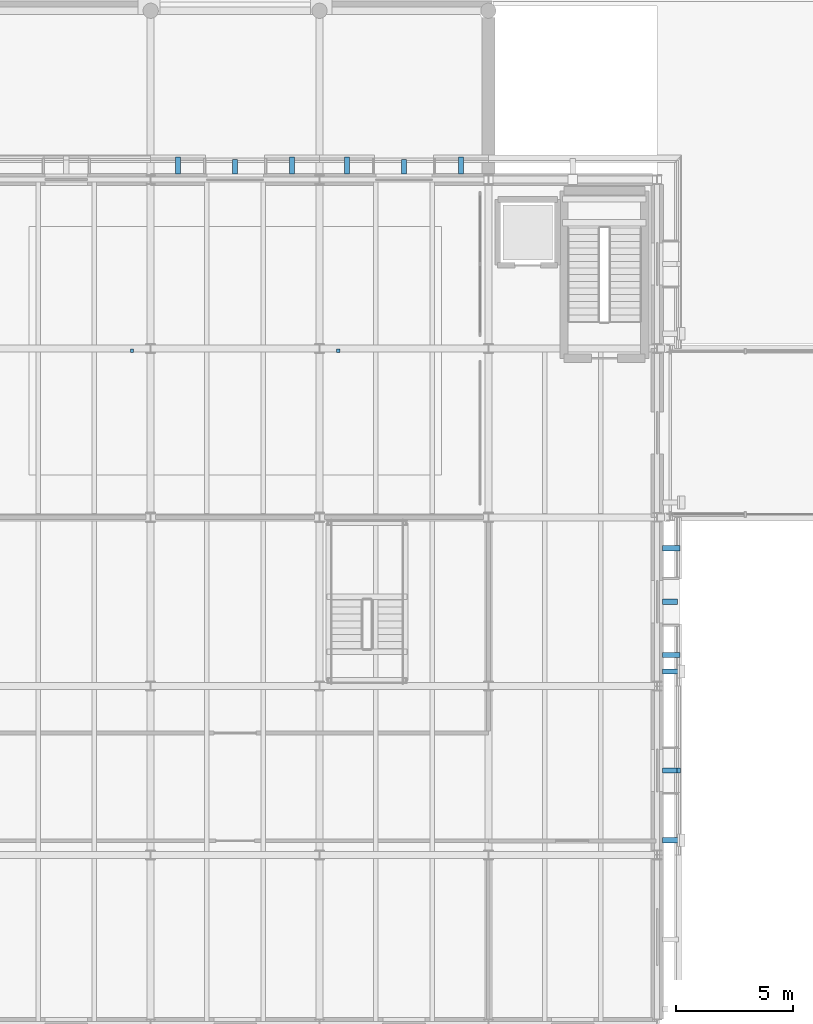
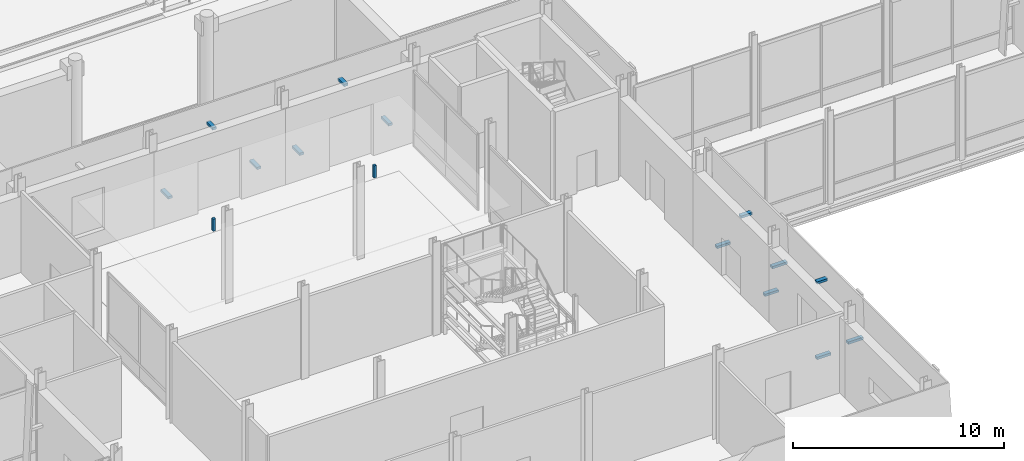
# One storey, part 92 of 120: 15 discrete accessories.
"""IFC4 building model written with IfcOpenShell, lengths in metres."""

from ifc_helpers import new_model, si_unit, direction, frame, origin, origin_2d, place, context, subcontext, project, spatial, rectangle, extrude, material, layer, layer_set, type_object, element, save


model = new_model("IFC4")

# Units and contexts
model_context = context("Model", 3, precision=1e-05, world=origin(), true_north=direction((0.0, 1.0)))
body_context = subcontext(model_context, "Body", "Model", "MODEL_VIEW")
ifc_project = project(units=[si_unit("LENGTHUNIT", "METRE"), si_unit("AREAUNIT", "SQUARE_METRE"), si_unit("VOLUMEUNIT", "CUBIC_METRE"), si_unit("PLANEANGLEUNIT", "RADIAN"), si_unit("MASSUNIT", "GRAM", prefix="KILO")], contexts=[model_context])

# Site, building, storey
site_placement = place(None, origin())
site = spatial("IfcSite", under=ifc_project, at=site_placement, CompositionType="ELEMENT")
building_placement = place(site_placement, origin())
building = spatial("IfcBuilding", under=site, at=building_placement, Name="Narikvali Park Central Library", CompositionType="ELEMENT")
storey_placement = place(building_placement, origin())
storey = spatial("IfcBuildingStorey", under=building, at=storey_placement, Name="L00", CompositionType="ELEMENT", Elevation=0.0)

# Discrete accessories
ifc_material_1 = material(Name="Brushed Stainless Steel S355", Category="steel")
ifc_layer_1 = layer(ifc_material_1, 0.139892578125, Name="Brushed Stainless Steel S355")
ifc_layer_set_1 = layer_set([ifc_layer_1], Name="Brushed Stainless Steel S355")
discrete_accessory_type_1 = type_object("IfcDiscreteAccessoryType", Name="Cladding Stainless Tie-Back Corbel Bracket", PredefinedType="BRACKET", material=ifc_layer_set_1)
discrete_accessory_1_placement = place(storey_placement, frame((101.439697265625, 65.425048828125, 2.6298828125), z_axis=(0.0, 0.0, 1.0), x_axis=(1.0, 0.0, 0.0)))
element("IfcDiscreteAccessory", 1, at=discrete_accessory_1_placement, inside=storey, type_object=discrete_accessory_type_1, Name="Limestone Cladding Tie-Back Bracket V1-PIL-L00-E-B02", PredefinedType="BRACKET", context=body_context, shape_type="SweptSolid", body=[
    extrude(rectangle(XDim=0.819580078125, YDim=0.219970703125, at=origin_2d()), origin(), (0.0, 0.0, 1.0), 0.139892578125),
])
discrete_accessory_2_placement = place(storey_placement, frame((101.415771484375, 68.39990234375, -0.06005859375), z_axis=(0.0, 0.0, 1.0), x_axis=(1.0, 0.0, 0.0)))
element("IfcDiscreteAccessory", 2, at=discrete_accessory_2_placement, inside=storey, type_object=discrete_accessory_type_1, Name="Limestone Cladding Tie-Back Bracket V1-CLD-L00-E-B02-SP", PredefinedType="BRACKET", context=body_context, shape_type="SweptSolid", body=[
    extrude(rectangle(XDim=0.771484375, YDim=0.219970703125, at=origin_2d()), origin(), (0.0, 0.0, 1.0), 0.139892578125),
])
discrete_accessory_3_placement = place(storey_placement, frame((101.33544921875, 68.39990234375, 4.30517578125), z_axis=(0.0, 0.0, 1.0), x_axis=(1.0, 0.0, 0.0)))
element("IfcDiscreteAccessory", 3, at=discrete_accessory_3_placement, inside=storey, type_object=discrete_accessory_type_1, Name="Limestone Cladding Tie-Back Bracket V1-CLD-L00-E-B02-LN", PredefinedType="BRACKET", context=body_context, shape_type="SweptSolid", body=[
    extrude(rectangle(XDim=0.61083984375, YDim=0.219970703125, at=origin_2d()), origin(), (0.0, 0.0, 1.0), 0.139892578125),
])
discrete_accessory_4_placement = place(storey_placement, frame((101.439697265625, 72.625, 2.6298828125), z_axis=(0.0, 0.0, 1.0), x_axis=(1.0, 0.0, 0.0)))
element("IfcDiscreteAccessory", 4, at=discrete_accessory_4_placement, inside=storey, type_object=discrete_accessory_type_1, Name="Limestone Cladding Tie-Back Bracket V1-PIL-L00-E-B03", PredefinedType="BRACKET", context=body_context, shape_type="SweptSolid", body=[
    extrude(rectangle(XDim=0.819580078125, YDim=0.219970703125, at=origin_2d()), origin(), (0.0, 0.0, 1.0), 0.139892578125),
])
for number, where, z_axis, x_axis, name in (
    (5, (101.402099609375, 73.320068359375, 0.60986328125), (0.0, 0.0, 1.0), (1.0, 0.0, 0.0), "Limestone Cladding Tie-Back Bracket V1-CLD-L00-E-B03-DL"),
    (6, (101.402099609375, 77.8798828125, 0.60986328125), (0.0, 0.0, 1.0), (1.0, 0.0, 0.0), "Limestone Cladding Tie-Back Bracket V1-CLD-L00-E-B03-DR"),
):
    element("IfcDiscreteAccessory", number, at=place(storey_placement, frame(where, z_axis=z_axis, x_axis=x_axis)), inside=storey, type_object=discrete_accessory_type_1, Name=name, PredefinedType="BRACKET", context=body_context, shape_type="SweptSolid", body=[
        extrude(rectangle(XDim=0.744140625, YDim=0.219970703125, at=origin_2d()), origin(), (0.0, 0.0, 1.0), 0.139892578125),
    ])
discrete_accessory_5_placement = place(storey_placement, frame((101.3466796875, 75.60009765625, 3.75), z_axis=(0.0, 0.0, 1.0), x_axis=(1.0, 0.0, 0.0)))
element("IfcDiscreteAccessory", 7, at=discrete_accessory_5_placement, inside=storey, type_object=discrete_accessory_type_1, Name="Limestone Cladding Tie-Back Bracket V1-CLD-L00-E-B03-DH", PredefinedType="BRACKET", context=body_context, shape_type="SweptSolid", body=[
    extrude(rectangle(XDim=0.6337890625, YDim=0.219970703125, at=origin_2d()), origin(), (0.0, 0.0, 1.0), 0.139892578125),
])
for number, where, z_axis, x_axis, name in (
    (8, (92.429931640625, 94.19384765625, 1.01025390625), (0.0, 0.0, 1.0), (1.0, 0.0, 0.0), "Limestone Cladding Tie-Back Bracket V1-CLD-L00-N-B02-DL"),
    (9, (87.570068359375, 94.19384765625, 1.01025390625), (0.0, 0.0, 1.0), (1.0, 0.0, 0.0), "Limestone Cladding Tie-Back Bracket V1-CLD-L00-N-B02-DR"),
):
    element("IfcDiscreteAccessory", number, at=place(storey_placement, frame(where, z_axis=z_axis, x_axis=x_axis)), inside=storey, type_object=discrete_accessory_type_1, Name=name, PredefinedType="BRACKET", context=body_context, shape_type="SweptSolid", body=[
        extrude(rectangle(XDim=0.219970703125, YDim=0.727783203125, at=origin_2d()), origin(), (0.0, 0.0, 1.0), 0.139892578125),
    ])
discrete_accessory_6_placement = place(storey_placement, frame((90.0, 94.138671875, 4.14990234375), z_axis=(0.0, 0.0, 1.0), x_axis=(1.0, 0.0, 0.0)))
element("IfcDiscreteAccessory", 10, at=discrete_accessory_6_placement, inside=storey, type_object=discrete_accessory_type_1, Name="Limestone Cladding Tie-Back Bracket V1-CLD-L00-N-B02-DH", PredefinedType="BRACKET", context=body_context, shape_type="SweptSolid", body=[
    extrude(rectangle(XDim=0.219970703125, YDim=0.6171875, at=origin_2d()), origin(), (0.0, 0.0, 1.0), 0.139892578125),
])
for number, where, z_axis, x_axis, name in (
    (11, (85.22998046875, 94.19384765625, 1.01025390625), (0.0, 0.0, 1.0), (1.0, 0.0, 0.0), "Limestone Cladding Tie-Back Bracket V1-CLD-L00-N-B03-DL"),
    (12, (80.3701171875, 94.19384765625, 1.01025390625), (0.0, 0.0, 1.0), (1.0, 0.0, 0.0), "Limestone Cladding Tie-Back Bracket V1-CLD-L00-N-B03-DR"),
):
    element("IfcDiscreteAccessory", number, at=place(storey_placement, frame(where, z_axis=z_axis, x_axis=x_axis)), inside=storey, type_object=discrete_accessory_type_1, Name=name, PredefinedType="BRACKET", context=body_context, shape_type="SweptSolid", body=[
        extrude(rectangle(XDim=0.219970703125, YDim=0.727783203125, at=origin_2d()), origin(), (0.0, 0.0, 1.0), 0.139892578125),
    ])
discrete_accessory_7_placement = place(storey_placement, frame((82.800048828125, 94.138671875, 4.14990234375), z_axis=(0.0, 0.0, 1.0), x_axis=(1.0, 0.0, 0.0)))
element("IfcDiscreteAccessory", 13, at=discrete_accessory_7_placement, inside=storey, type_object=discrete_accessory_type_1, Name="Limestone Cladding Tie-Back Bracket V1-CLD-L00-N-B03-DH", PredefinedType="BRACKET", context=body_context, shape_type="SweptSolid", body=[
    extrude(rectangle(XDim=0.219970703125, YDim=0.6171875, at=origin_2d()), origin(), (0.0, 0.0, 1.0), 0.139892578125),
])
ifc_material_2 = material(Name="Galvanised Steel S355", Category="steel")
ifc_layer_2 = layer(ifc_material_2, 0.7099609375, Name="Galvanised Steel S355")
ifc_layer_set_2 = layer_set([ifc_layer_2], Name="Galvanised Steel S355")
discrete_accessory_type_2 = type_object("IfcDiscreteAccessoryType", Name="Suspended Ceiling Hanger Rod Assembly", PredefinedType="BRACKET", material=ifc_layer_set_2)
for number, where, z_axis, x_axis, name in (
    (14, (78.39990234375, 86.300048828125, 4.429931640625), (0.0, 0.0, 1.0), (1.0, 0.0, 0.0), "V1 L00 Ceiling Suspension Hanger 01-1"),
    (15, (87.199951171875, 86.300048828125, 4.429931640625), (0.0, 0.0, 1.0), (1.0, 0.0, 0.0), "V1 L00 Ceiling Suspension Hanger 01-2"),
):
    element("IfcDiscreteAccessory", number, at=place(storey_placement, frame(where, z_axis=z_axis, x_axis=x_axis)), inside=storey, type_object=discrete_accessory_type_2, Name=name, PredefinedType="BRACKET", context=body_context, shape_type="SweptSolid", body=[
        extrude(rectangle(XDim=0.139892578125, YDim=0.139892578125, at=origin_2d()), origin(), (0.0, 0.0, 1.0), 0.7099609375),
    ])

save(model, "model.ifc")
